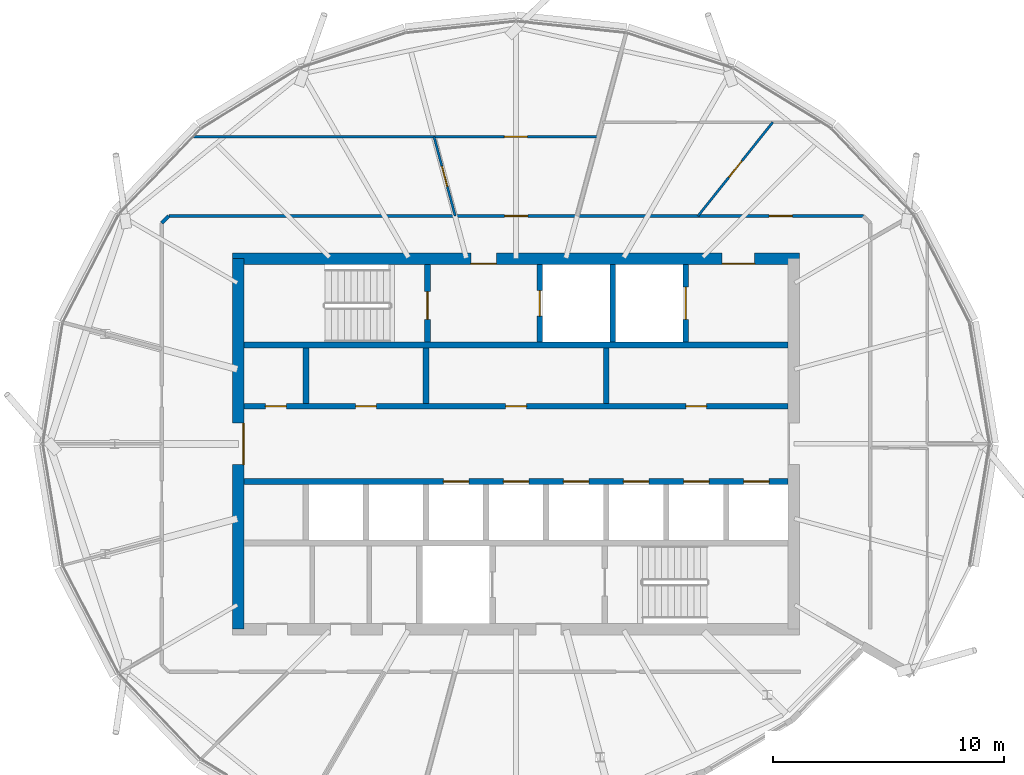
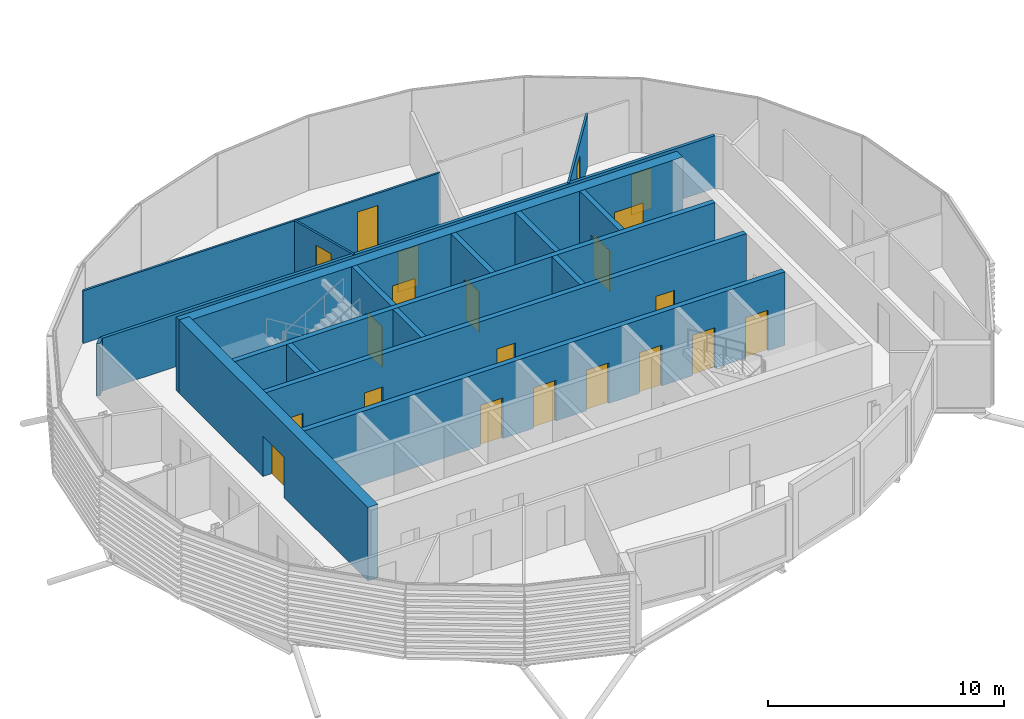
# One storey, part 18 of 33: 21 doors, 17 walls, 21 openings.
"""IFC4 building model written with IfcOpenShell, lengths in metres."""

from ifc_helpers import new_model, si_unit, direction, frame, frame_2d, origin, place, context, subcontext, project, spatial, rectangle, extrude, material, layer, layer_set, type_object, element, fill, save


model = new_model("IFC4")

# Units and contexts
model_context = context("Model", 3, precision=1e-05, world=origin(), true_north=direction((0.0, 1.0)))
body_context = subcontext(model_context, "Body", "Model", "MODEL_VIEW")
ifc_project = project(units=[si_unit("LENGTHUNIT", "METRE"), si_unit("AREAUNIT", "SQUARE_METRE"), si_unit("VOLUMEUNIT", "CUBIC_METRE"), si_unit("PLANEANGLEUNIT", "RADIAN"), si_unit("MASSUNIT", "GRAM", prefix="KILO")], contexts=[model_context])

# Site, building, storey
site_placement = place(None, origin())
site = spatial("IfcSite", under=ifc_project, at=site_placement, CompositionType="ELEMENT")
building_placement = place(site_placement, origin())
building = spatial("IfcBuilding", under=site, at=building_placement, Name="Rimbun Link Towers", CompositionType="ELEMENT")
storey_placement = place(building_placement, frame((0.0, 0.0, 240.89990234375)))
storey = spatial("IfcBuildingStorey", under=building, at=storey_placement, Name="L59", CompositionType="ELEMENT", Elevation=240.89990234375)

# Wall, openings, doors
ifc_material_1 = material(Name="Concrete C60/75", Category="concrete")
ifc_layer_1 = layer(ifc_material_1, 0.5)
ifc_layer_set_1 = layer_set([ifc_layer_1], Name="Core shear wall 500")
wall_type_1 = type_object("IfcWallType", Name="Core shear wall 500", PredefinedType="SHEAR", material=ifc_layer_set_1)
wall_1_placement = place(storey_placement, frame((-44.0, 8.0, 0.0), z_axis=(0.0, 0.0, 1.0), x_axis=(1.0, 0.0, 0.0)))
wall_1 = element("IfcWall", 1, at=wall_1_placement, inside=storey, type_object=wall_type_1, Name="L59 T1 core wall N", PredefinedType="SHEAR", context=body_context, shape_type="SweptSolid", body=[
    extrude(rectangle(XDim=24.5, YDim=0.5, at=frame_2d((12.25, 0.0))), origin(), (0.0, 0.0, 1.0), 3.800048828125),
])
opening_1_placement = place(wall_1_placement, frame((10.300048828125, 0.0, 0.0)))
opening_1 = element("IfcOpeningElement", 2, at=opening_1_placement, cuts=wall_1, Name="Opening C1DCF01N", PredefinedType="OPENING", context=body_context, shape_type="SweptSolid", body=[
    extrude(rectangle(XDim=1.10009765625, YDim=2.10009765625, at=frame_2d((0.550048828125, 1.050048828125))), frame((0.0, 0.260009765625, 0.0), z_axis=(0.0, -1.0, 0.0), x_axis=(1.0, 0.0, 0.0)), (0.0, 0.0, 1.0), 0.52001953125),
])
opening_2_placement = place(wall_1_placement, frame((21.14990234375, 0.0, 0.0)))
opening_2 = element("IfcOpeningElement", 3, at=opening_2_placement, cuts=wall_1, Name="Opening C1DSL02N", PredefinedType="OPENING", context=body_context, shape_type="SweptSolid", body=[
    extrude(rectangle(XDim=1.39990234375, YDim=2.10009765625, at=frame_2d((0.699951171875, 1.050048828125))), frame((0.0, 0.260009765625, 0.0), z_axis=(0.0, -1.0, 0.0), x_axis=(1.0, 0.0, 0.0)), (0.0, 0.0, 1.0), 0.52001953125),
])
ifc_material_2 = material(Name="Steel fire door set", Category="steel")
door_type_1 = type_object("IfcDoorType", Name="Core fire door single", OperationType="SINGLE_SWING_LEFT", PredefinedType="DOOR", material=ifc_material_2)
door_1_placement = place(opening_1_placement, origin())
door_1 = element("IfcDoor", 4, at=door_1_placement, inside=storey, type_object=door_type_1, Name="L59 T1 firefighting lobby n door", OperationType="SINGLE_SWING_LEFT", OverallHeight=2.10009765625, OverallWidth=1.10009765625, PredefinedType="DOOR", context=body_context, shape_type="SweptSolid", body=[
    extrude(rectangle(XDim=1.10009765625, YDim=2.10009765625, at=frame_2d((0.550048828125, 1.050048828125))), frame((0.0, -0.2001953125, 0.0), z_axis=(0.0, -1.0, 0.0), x_axis=(1.0, 0.0, 0.0)), (0.0, 0.0, 1.0), 0.050048828125),
])
fill(opening_1, door_1)
ifc_material_3 = material(Name="Steel fire door set", Category="steel")
door_type_2 = type_object("IfcDoorType", Name="Service lobby door double", OperationType="DOUBLE_DOOR_SINGLE_SWING", PredefinedType="DOOR", material=ifc_material_3)
door_2_placement = place(opening_2_placement, origin())
door_2 = element("IfcDoor", 5, at=door_2_placement, inside=storey, type_object=door_type_2, Name="L59 T1 service lobby door", OperationType="DOUBLE_DOOR_SINGLE_SWING", OverallHeight=2.10009765625, OverallWidth=1.39990234375, PredefinedType="DOOR", context=body_context, shape_type="SweptSolid", body=[
    extrude(rectangle(XDim=1.39990234375, YDim=2.10009765625, at=frame_2d((0.699951171875, 1.050048828125))), frame((0.0, -0.2001953125, 0.0), z_axis=(0.0, -1.0, 0.0), x_axis=(1.0, 0.0, 0.0)), (0.0, 0.0, 1.0), 0.050048828125),
])
fill(opening_2, door_2)

# Wall, opening, door
wall_2_placement = place(storey_placement, frame((-43.75, -8.0, 0.0), z_axis=(0.0, 0.0, 1.0), x_axis=(0.0, 1.0, 0.0)))
wall_2 = element("IfcWall", 6, at=wall_2_placement, inside=storey, type_object=wall_type_1, Name="L59 T1 core wall W", PredefinedType="SHEAR", context=body_context, shape_type="SweptSolid", body=[
    extrude(rectangle(XDim=16.0, YDim=0.5, at=frame_2d((8.0, 0.0))), origin(), (0.0, 0.0, 1.0), 3.800048828125),
])
opening_3_placement = place(wall_2_placement, frame((7.10009765625, 0.0, 0.0)))
opening_3 = element("IfcOpeningElement", 7, at=opening_3_placement, cuts=wall_2, Name="Opening C1DCL01W", PredefinedType="OPENING", context=body_context, shape_type="SweptSolid", body=[
    extrude(rectangle(XDim=1.800048828125, YDim=2.10009765625, at=frame_2d((0.89990234375, 1.050048828125))), frame((0.0, 0.260009765625, 0.0), z_axis=(0.0, -1.0, 0.0), x_axis=(1.0, 0.0, 0.0)), (0.0, 0.0, 1.0), 0.52001953125),
])
ifc_material_4 = material(Name="Steel fire door set", Category="steel")
door_type_3 = type_object("IfcDoorType", Name="Core lobby door double", OperationType="DOUBLE_DOOR_SINGLE_SWING", PredefinedType="DOOR", material=ifc_material_4)
door_3_placement = place(opening_3_placement, origin())
door_3 = element("IfcDoor", 8, at=door_3_placement, inside=storey, type_object=door_type_3, Name="L59 T1 lift lobby door", OperationType="DOUBLE_DOOR_SINGLE_SWING", OverallHeight=2.10009765625, OverallWidth=1.800048828125, PredefinedType="DOOR", context=body_context, shape_type="SweptSolid", body=[
    extrude(rectangle(XDim=1.800048828125, YDim=2.10009765625, at=frame_2d((0.89990234375, 1.050048828125))), frame((0.0, -0.2001953125, 0.0), z_axis=(0.0, -1.0, 0.0), x_axis=(1.0, 0.0, 0.0)), (0.0, 0.0, 1.0), 0.050048828125),
])
fill(opening_3, door_3)

# Wall
ifc_material_5 = material(Name="Plasterboard on steel stud, mineral wool", Category="steel")
ifc_layer_2 = layer(ifc_material_5, 0.14990234375)
ifc_layer_set_2 = layer_set([ifc_layer_2], Name="Corridor wall EI 30 150 mm")
wall_type_2 = type_object("IfcWallType", Name="Corridor wall EI 30 150 mm", PredefinedType="PARTITIONING", material=ifc_layer_set_2)
wall_3_placement = place(storey_placement, frame((-46.753662109375, 9.844970703125, 0.0), z_axis=(0.0, 0.0, 1.0), x_axis=(-0.707106781187, -0.707106781187, 0.0)))
element("IfcWall", 9, at=wall_3_placement, inside=storey, type_object=wall_type_2, Name="Corridor wall EI 30 150 mm", PredefinedType="PARTITIONING", context=body_context, shape_type="SweptSolid", body=[
    extrude(rectangle(XDim=0.426025390625, YDim=0.14990234375, at=frame_2d((0.212890625, 0.0))), origin(), (0.0, 0.0, 1.0), 2.72216796875),
])

# Wall, openings, doors
wall_4_placement = place(storey_placement, frame((-46.753662109375, 9.844970703125, 0.0), z_axis=(0.0, 0.0, 1.0), x_axis=(1.0, 0.0, 0.0)))
wall_4 = element("IfcWall", 10, at=wall_4_placement, inside=storey, type_object=wall_type_2, Name="Corridor wall EI 30 150 mm", PredefinedType="PARTITIONING", context=body_context, shape_type="SweptSolid", body=[
    extrude(rectangle(XDim=30.00732421875, YDim=0.14990234375, at=frame_2d((15.003662109375, 0.0))), origin(), (0.0, 0.0, 1.0), 2.72216796875),
])
opening_4_placement = place(wall_4_placement, frame((25.933837890625, 0.0, 0.0)))
opening_4 = element("IfcOpeningElement", 11, at=opening_4_placement, cuts=wall_4, Name="Opening D01", PredefinedType="OPENING", context=body_context, shape_type="SweptSolid", body=[
    extrude(rectangle(XDim=1.0, YDim=2.10009765625, at=frame_2d((0.5, 1.050048828125))), frame((0.0, 0.0849609375, 0.0), z_axis=(0.0, -1.0, 0.0), x_axis=(1.0, 0.0, 0.0)), (0.0, 0.0, 1.0), 0.169921875),
])
opening_5_placement = place(wall_4_placement, frame((14.507080078125, 0.0, 0.0)))
opening_5 = element("IfcOpeningElement", 12, at=opening_5_placement, cuts=wall_4, Name="Opening D01", PredefinedType="OPENING", context=body_context, shape_type="SweptSolid", body=[
    extrude(rectangle(XDim=1.0, YDim=2.10009765625, at=frame_2d((0.5, 1.050048828125))), frame((0.0, 0.0849609375, 0.0), z_axis=(0.0, -1.0, 0.0), x_axis=(1.0, 0.0, 0.0)), (0.0, 0.0, 1.0), 0.169921875),
])
ifc_material_6 = material(Name="Fire-resisting timber door leaf", Category="wood")
door_type_4 = type_object("IfcDoorType", Name="Fire door FD30S 1000", OperationType="NOTDEFINED", PredefinedType="DOOR", material=ifc_material_6)
door_4_placement = place(opening_4_placement, origin())
door_4 = element("IfcDoor", 13, at=door_4_placement, inside=storey, type_object=door_type_4, Name="Fire door FD30S 1000 to Reception", OperationType="SINGLE_SWING_RIGHT", OverallHeight=2.10009765625, OverallWidth=1.0, PredefinedType="DOOR", context=body_context, shape_type="SweptSolid", body=[
    extrude(rectangle(XDim=1.0, YDim=2.10009765625, at=frame_2d((0.5, 1.050048828125))), frame((0.0, 0.02490234375, 0.0), z_axis=(0.0, -1.0, 0.0), x_axis=(1.0, 0.0, 0.0)), (0.0, 0.0, 1.0), 0.050048828125),
])
fill(opening_4, door_4)
door_5_placement = place(opening_5_placement, origin())
door_5 = element("IfcDoor", 14, at=door_5_placement, inside=storey, type_object=door_type_4, Name="Fire door FD30S 1000 to Reception", OperationType="SINGLE_SWING_LEFT", OverallHeight=2.10009765625, OverallWidth=1.0, PredefinedType="DOOR", context=body_context, shape_type="SweptSolid", body=[
    extrude(rectangle(XDim=1.0, YDim=2.10009765625, at=frame_2d((0.5, 1.050048828125))), frame((0.0, 0.02490234375, 0.0), z_axis=(0.0, -1.0, 0.0), x_axis=(1.0, 0.0, 0.0)), (0.0, 0.0, 1.0), 0.050048828125),
])
fill(opening_5, door_5)

# Wall, opening, door
ifc_material_7 = material(Name="Plasterboard on steel stud", Category="steel")
ifc_layer_3 = layer(ifc_material_7, 0.10009765625)
ifc_layer_set_3 = layer_set([ifc_layer_3], Name="Plasterboard partition 100 mm")
wall_type_3 = type_object("IfcWallType", Name="Plasterboard partition 100 mm", PredefinedType="PARTITIONING", material=ifc_layer_set_3)
wall_5_placement = place(storey_placement, frame((-23.893310546875, 9.844970703125, 0.0), z_axis=(0.0, 0.0, 1.0), x_axis=(0.623769525553, 0.781608328379, 0.0)))
wall_5 = element("IfcWall", 15, at=wall_5_placement, inside=storey, type_object=wall_type_3, Name="Plasterboard partition 100 mm", PredefinedType="PARTITIONING", context=body_context, shape_type="SweptSolid", body=[
    extrude(rectangle(XDim=5.181640625, YDim=0.10009765625, at=frame_2d((2.5908203125, 0.0))), origin(), (0.0, 0.0, 1.0), 2.72216796875),
])
opening_6_placement = place(wall_5_placement, frame((2.140869140625, 0.0, 0.0)))
opening_6 = element("IfcOpeningElement", 16, at=opening_6_placement, cuts=wall_5, Name="Opening D04", PredefinedType="OPENING", context=body_context, shape_type="SweptSolid", body=[
    extrude(rectangle(XDim=0.89990234375, YDim=2.10009765625, at=frame_2d((0.449951171875, 1.050048828125))), frame((0.0, 0.06005859375, 0.0), z_axis=(0.0, -1.0, 0.0), x_axis=(1.0, 0.0, 0.0)), (0.0, 0.0, 1.0), 0.1201171875),
])
ifc_material_8 = material(Name="Timber door leaf", Category="wood")
door_type_5 = type_object("IfcDoorType", Name="Flush door 900", OperationType="NOTDEFINED", PredefinedType="DOOR", material=ifc_material_8)
door_6_placement = place(opening_6_placement, origin())
door_6 = element("IfcDoor", 17, at=door_6_placement, inside=storey, type_object=door_type_5, Name="Flush door 900 to Pantry", OperationType="SINGLE_SWING_LEFT", OverallHeight=2.10009765625, OverallWidth=0.89990234375, PredefinedType="DOOR", context=body_context, shape_type="SweptSolid", body=[
    extrude(rectangle(XDim=0.89990234375, YDim=2.10009765625, at=frame_2d((0.449951171875, 1.050048828125))), frame((0.0, 0.02490234375, 0.0), z_axis=(0.0, -1.0, 0.0), x_axis=(1.0, 0.0, 0.0)), (0.0, 0.0, 1.0), 0.050048828125),
])
fill(opening_6, door_6)

wall_6_placement = place(storey_placement, frame((-34.380859375, 9.844970703125, 0.0), z_axis=(0.0, 0.0, 1.0), x_axis=(-0.258212054704, 0.966088264501, 0.0)))
wall_6 = element("IfcWall", 18, at=wall_6_placement, inside=storey, type_object=wall_type_3, Name="Plasterboard partition 100 mm", PredefinedType="PARTITIONING", context=body_context, shape_type="SweptSolid", body=[
    extrude(rectangle(XDim=3.5400390625, YDim=0.10009765625, at=frame_2d((1.77001953125, 0.0))), origin(), (0.0, 0.0, 1.0), 2.72216796875),
])
opening_7_placement = place(wall_6_placement, frame((1.320068359375, 0.0, 0.0)))
opening_7 = element("IfcOpeningElement", 19, at=opening_7_placement, cuts=wall_6, Name="Opening D04", PredefinedType="OPENING", context=body_context, shape_type="SweptSolid", body=[
    extrude(rectangle(XDim=0.89990234375, YDim=2.10009765625, at=frame_2d((0.449951171875, 1.050048828125))), frame((0.0, 0.06005859375, 0.0), z_axis=(0.0, -1.0, 0.0), x_axis=(1.0, 0.0, 0.0)), (0.0, 0.0, 1.0), 0.1201171875),
])
door_7_placement = place(opening_7_placement, origin())
door_7 = element("IfcDoor", 20, at=door_7_placement, inside=storey, type_object=door_type_5, Name="Flush door 900 to Meeting room", OperationType="SINGLE_SWING_RIGHT", OverallHeight=2.10009765625, OverallWidth=0.89990234375, PredefinedType="DOOR", context=body_context, shape_type="SweptSolid", body=[
    extrude(rectangle(XDim=0.89990234375, YDim=2.10009765625, at=frame_2d((0.449951171875, 1.050048828125))), frame((0.0, 0.02490234375, 0.0), z_axis=(0.0, -1.0, 0.0), x_axis=(1.0, 0.0, 0.0)), (0.0, 0.0, 1.0), 0.050048828125),
])
fill(opening_7, door_7)

wall_7_placement = place(storey_placement, frame((-45.677978515625, 13.264892578125, 0.0), z_axis=(0.0, 0.0, 1.0), x_axis=(1.0, 0.0, 0.0)))
wall_7 = element("IfcWall", 21, at=wall_7_placement, inside=storey, type_object=wall_type_3, Name="Plasterboard partition 100 mm", PredefinedType="PARTITIONING", context=body_context, shape_type="SweptSolid", body=[
    extrude(rectangle(XDim=17.482177734375, YDim=0.10009765625, at=frame_2d((8.7412109375, 0.0))), origin(), (0.0, 0.0, 1.0), 2.72216796875),
])
opening_8_placement = place(wall_7_placement, frame((13.417724609375, 0.0, 0.0)))
opening_8 = element("IfcOpeningElement", 22, at=opening_8_placement, cuts=wall_7, Name="Opening D03", PredefinedType="OPENING", context=body_context, shape_type="SweptSolid", body=[
    extrude(rectangle(XDim=1.0, YDim=2.10009765625, at=frame_2d((0.5, 1.050048828125))), frame((0.0, 0.06005859375, 0.0), z_axis=(0.0, -1.0, 0.0), x_axis=(1.0, 0.0, 0.0)), (0.0, 0.0, 1.0), 0.1201171875),
])
ifc_material_9 = material(Name="Timber door leaf", Category="wood")
door_type_6 = type_object("IfcDoorType", Name="Flush door 1000", OperationType="NOTDEFINED", PredefinedType="DOOR", material=ifc_material_9)
door_8_placement = place(opening_8_placement, origin())
door_8 = element("IfcDoor", 23, at=door_8_placement, inside=storey, type_object=door_type_6, Name="Flush door 1000 to Open office", OperationType="SINGLE_SWING_LEFT", OverallHeight=2.10009765625, OverallWidth=1.0, PredefinedType="DOOR", context=body_context, shape_type="SweptSolid", body=[
    extrude(rectangle(XDim=1.0, YDim=2.10009765625, at=frame_2d((0.5, 1.050048828125))), frame((0.0, 0.02490234375, 0.0), z_axis=(0.0, -1.0, 0.0), x_axis=(1.0, 0.0, 0.0)), (0.0, 0.0, 1.0), 0.050048828125),
])
fill(opening_8, door_8)

# Wall
ifc_material_10 = material(Name="Concrete C60/75", Category="concrete")
ifc_layer_4 = layer(ifc_material_10, 0.25)
ifc_layer_set_4 = layer_set([ifc_layer_4], Name="Shaft wall 250")
wall_type_4 = type_object("IfcWallType", Name="Shaft wall 250", PredefinedType="SHEAR", material=ifc_layer_set_4)
wall_8_placement = place(storey_placement, frame((-43.5, 4.27490234375, 0.0), z_axis=(0.0, 0.0, 1.0), x_axis=(1.0, 0.0, 0.0)))
element("IfcWall", 24, at=wall_8_placement, inside=storey, type_object=wall_type_4, Name="L59 T1 core wall BN", PredefinedType="SHEAR", context=body_context, shape_type="SweptSolid", body=[
    extrude(rectangle(XDim=23.5, YDim=0.25, at=frame_2d((11.75, 0.0))), origin(), (0.0, 0.0, 1.0), 3.800048828125),
])

# Wall, openings, doors
wall_9_placement = place(storey_placement, frame((-43.5, 1.625, 0.0), z_axis=(0.0, 0.0, 1.0), x_axis=(1.0, 0.0, 0.0)))
wall_9 = element("IfcWall", 25, at=wall_9_placement, inside=storey, type_object=wall_type_4, Name="L59 T1 core wall FN", PredefinedType="SHEAR", context=body_context, shape_type="SweptSolid", body=[
    extrude(rectangle(XDim=23.5, YDim=0.25, at=frame_2d((11.75, 0.0))), origin(), (0.0, 0.0, 1.0), 3.800048828125),
])
opening_9_placement = place(wall_9_placement, frame((0.922119140625, 0.0, 0.0)))
opening_9 = element("IfcOpeningElement", 26, at=opening_9_placement, cuts=wall_9, Name="Opening C1DRS01FN", PredefinedType="OPENING", context=body_context, shape_type="SweptSolid", body=[
    extrude(rectangle(XDim=0.89990234375, YDim=2.10009765625, at=frame_2d((0.449951171875, 1.050048828125))), frame((0.0, 0.135009765625, 0.0), z_axis=(0.0, -1.0, 0.0), x_axis=(1.0, 0.0, 0.0)), (0.0, 0.0, 1.0), 0.27001953125),
])
opening_10_placement = place(wall_9_placement, frame((4.81396484375, 0.0, 0.0)))
opening_10 = element("IfcOpeningElement", 27, at=opening_10_placement, cuts=wall_9, Name="Opening C1DRS02FN", PredefinedType="OPENING", context=body_context, shape_type="SweptSolid", body=[
    extrude(rectangle(XDim=0.89990234375, YDim=2.10009765625, at=frame_2d((0.449951171875, 1.050048828125))), frame((0.0, 0.135009765625, 0.0), z_axis=(0.0, -1.0, 0.0), x_axis=(1.0, 0.0, 0.0)), (0.0, 0.0, 1.0), 0.27001953125),
])
opening_11_placement = place(wall_9_placement, frame((11.300048828125, 0.0, 0.0)))
opening_11 = element("IfcOpeningElement", 28, at=opening_11_placement, cuts=wall_9, Name="Opening C1DRS03FN", PredefinedType="OPENING", context=body_context, shape_type="SweptSolid", body=[
    extrude(rectangle(XDim=0.89990234375, YDim=2.10009765625, at=frame_2d((0.449951171875, 1.050048828125))), frame((0.0, 0.135009765625, 0.0), z_axis=(0.0, -1.0, 0.0), x_axis=(1.0, 0.0, 0.0)), (0.0, 0.0, 1.0), 0.27001953125),
])
opening_12_placement = place(wall_9_placement, frame((19.083251953125, 0.0, 0.0)))
opening_12 = element("IfcOpeningElement", 29, at=opening_12_placement, cuts=wall_9, Name="Opening C1DRS04FN", PredefinedType="OPENING", context=body_context, shape_type="SweptSolid", body=[
    extrude(rectangle(XDim=0.89990234375, YDim=2.10009765625, at=frame_2d((0.449951171875, 1.050048828125))), frame((0.0, 0.135009765625, 0.0), z_axis=(0.0, -1.0, 0.0), x_axis=(1.0, 0.0, 0.0)), (0.0, 0.0, 1.0), 0.27001953125),
])
ifc_material_11 = material(Name="Steel fire door set", Category="steel")
door_type_7 = type_object("IfcDoorType", Name="Core riser door", OperationType="SINGLE_SWING_LEFT", PredefinedType="DOOR", material=ifc_material_11)
door_9_placement = place(opening_9_placement, origin())
door_9 = element("IfcDoor", 30, at=door_9_placement, inside=storey, type_object=door_type_7, Name="L59 T1 cleaner store door", OperationType="SINGLE_SWING_LEFT", OverallHeight=2.10009765625, OverallWidth=0.89990234375, PredefinedType="DOOR", context=body_context, shape_type="SweptSolid", body=[
    extrude(rectangle(XDim=0.89990234375, YDim=2.10009765625, at=frame_2d((0.449951171875, 1.050048828125))), frame((0.0, 0.02490234375, 0.0), z_axis=(0.0, -1.0, 0.0), x_axis=(1.0, 0.0, 0.0)), (0.0, 0.0, 1.0), 0.050048828125),
])
fill(opening_9, door_9)
door_10_placement = place(opening_10_placement, origin())
door_10 = element("IfcDoor", 31, at=door_10_placement, inside=storey, type_object=door_type_7, Name="L59 T1 staff lounge door", OperationType="SINGLE_SWING_LEFT", OverallHeight=2.10009765625, OverallWidth=0.89990234375, PredefinedType="DOOR", context=body_context, shape_type="SweptSolid", body=[
    extrude(rectangle(XDim=0.89990234375, YDim=2.10009765625, at=frame_2d((0.449951171875, 1.050048828125))), frame((0.0, 0.02490234375, 0.0), z_axis=(0.0, -1.0, 0.0), x_axis=(1.0, 0.0, 0.0)), (0.0, 0.0, 1.0), 0.050048828125),
])
fill(opening_10, door_10)
door_11_placement = place(opening_11_placement, origin())
door_11 = element("IfcDoor", 32, at=door_11_placement, inside=storey, type_object=door_type_7, Name="L59 T1 training store door", OperationType="SINGLE_SWING_LEFT", OverallHeight=2.10009765625, OverallWidth=0.89990234375, PredefinedType="DOOR", context=body_context, shape_type="SweptSolid", body=[
    extrude(rectangle(XDim=0.89990234375, YDim=2.10009765625, at=frame_2d((0.449951171875, 1.050048828125))), frame((0.0, 0.02490234375, 0.0), z_axis=(0.0, -1.0, 0.0), x_axis=(1.0, 0.0, 0.0)), (0.0, 0.0, 1.0), 0.050048828125),
])
fill(opening_11, door_11)
door_12_placement = place(opening_12_placement, origin())
door_12 = element("IfcDoor", 33, at=door_12_placement, inside=storey, type_object=door_type_7, Name="L59 T1 meeting pod door", OperationType="SINGLE_SWING_RIGHT", OverallHeight=2.10009765625, OverallWidth=0.89990234375, PredefinedType="DOOR", context=body_context, shape_type="SweptSolid", body=[
    extrude(rectangle(XDim=0.89990234375, YDim=2.10009765625, at=frame_2d((0.449951171875, 1.050048828125))), frame((0.0, 0.02490234375, 0.0), z_axis=(0.0, -1.0, 0.0), x_axis=(1.0, 0.0, 0.0)), (0.0, 0.0, 1.0), 0.050048828125),
])
fill(opening_12, door_12)

wall_10_placement = place(storey_placement, frame((-43.5, -1.625, 0.0), z_axis=(0.0, 0.0, 1.0), x_axis=(1.0, 0.0, 0.0)))
wall_10 = element("IfcWall", 34, at=wall_10_placement, inside=storey, type_object=wall_type_4, Name="L59 T1 core wall FS", PredefinedType="SHEAR", context=body_context, shape_type="SweptSolid", body=[
    extrude(rectangle(XDim=23.5, YDim=0.25, at=frame_2d((11.75, 0.0))), origin(), (0.0, 0.0, 1.0), 3.800048828125),
])
opening_13_placement = place(wall_10_placement, frame((8.605712890625, 0.0, 0.0)))
opening_13 = element("IfcOpeningElement", 35, at=opening_13_placement, cuts=wall_10, Name="Opening LD-T1-HR1", PredefinedType="OPENING", context=body_context, shape_type="SweptSolid", body=[
    extrude(rectangle(XDim=1.10009765625, YDim=2.10009765625, at=frame_2d((0.550048828125, 1.050048828125))), frame((0.0, 0.135009765625, 0.0), z_axis=(0.0, -1.0, 0.0), x_axis=(1.0, 0.0, 0.0)), (0.0, 0.0, 1.0), 0.27001953125),
])
opening_14_placement = place(wall_10_placement, frame((11.199951171875, 0.0, 0.0)))
opening_14 = element("IfcOpeningElement", 36, at=opening_14_placement, cuts=wall_10, Name="Opening LD-T1-HR2", PredefinedType="OPENING", context=body_context, shape_type="SweptSolid", body=[
    extrude(rectangle(XDim=1.10009765625, YDim=2.10009765625, at=frame_2d((0.550048828125, 1.050048828125))), frame((0.0, 0.135009765625, 0.0), z_axis=(0.0, -1.0, 0.0), x_axis=(1.0, 0.0, 0.0)), (0.0, 0.0, 1.0), 0.27001953125),
])
opening_15_placement = place(wall_10_placement, frame((13.79443359375, 0.0, 0.0)))
opening_15 = element("IfcOpeningElement", 37, at=opening_15_placement, cuts=wall_10, Name="Opening LD-T1-HR3", PredefinedType="OPENING", context=body_context, shape_type="SweptSolid", body=[
    extrude(rectangle(XDim=1.10009765625, YDim=2.10009765625, at=frame_2d((0.550048828125, 1.050048828125))), frame((0.0, 0.135009765625, 0.0), z_axis=(0.0, -1.0, 0.0), x_axis=(1.0, 0.0, 0.0)), (0.0, 0.0, 1.0), 0.27001953125),
])
opening_16_placement = place(wall_10_placement, frame((16.388916015625, 0.0, 0.0)))
opening_16 = element("IfcOpeningElement", 38, at=opening_16_placement, cuts=wall_10, Name="Opening LD-T1-HR4", PredefinedType="OPENING", context=body_context, shape_type="SweptSolid", body=[
    extrude(rectangle(XDim=1.10009765625, YDim=2.10009765625, at=frame_2d((0.550048828125, 1.050048828125))), frame((0.0, 0.135009765625, 0.0), z_axis=(0.0, -1.0, 0.0), x_axis=(1.0, 0.0, 0.0)), (0.0, 0.0, 1.0), 0.27001953125),
])
opening_17_placement = place(wall_10_placement, frame((18.9833984375, 0.0, 0.0)))
opening_17 = element("IfcOpeningElement", 39, at=opening_17_placement, cuts=wall_10, Name="Opening LD-T1-HR5", PredefinedType="OPENING", context=body_context, shape_type="SweptSolid", body=[
    extrude(rectangle(XDim=1.10009765625, YDim=2.10009765625, at=frame_2d((0.550048828125, 1.050048828125))), frame((0.0, 0.135009765625, 0.0), z_axis=(0.0, -1.0, 0.0), x_axis=(1.0, 0.0, 0.0)), (0.0, 0.0, 1.0), 0.27001953125),
])
opening_18_placement = place(wall_10_placement, frame((21.577880859375, 0.0, 0.0)))
opening_18 = element("IfcOpeningElement", 40, at=opening_18_placement, cuts=wall_10, Name="Opening LD-T1-HR6", PredefinedType="OPENING", context=body_context, shape_type="SweptSolid", body=[
    extrude(rectangle(XDim=1.10009765625, YDim=2.10009765625, at=frame_2d((0.550048828125, 1.050048828125))), frame((0.0, 0.135009765625, 0.0), z_axis=(0.0, -1.0, 0.0), x_axis=(1.0, 0.0, 0.0)), (0.0, 0.0, 1.0), 0.27001953125),
])
ifc_material_12 = material(Name="Stainless steel grade 316", Category="steel")
door_type_8 = type_object("IfcDoorType", Name="Lift landing door", OperationType="DOUBLE_DOOR_SLIDING", PredefinedType="DOOR", material=ifc_material_12)
door_13_placement = place(opening_13_placement, origin())
door_13 = element("IfcDoor", 41, at=door_13_placement, inside=storey, type_object=door_type_8, Name="L59 T1 lift HR1 landing door", OperationType="DOUBLE_DOOR_SLIDING", OverallHeight=2.10009765625, OverallWidth=1.10009765625, PredefinedType="DOOR", context=body_context, shape_type="SweptSolid", body=[
    extrude(rectangle(XDim=1.10009765625, YDim=2.10009765625, at=frame_2d((0.550048828125, 1.050048828125))), frame((0.0, 0.02490234375, 0.0), z_axis=(0.0, -1.0, 0.0), x_axis=(1.0, 0.0, 0.0)), (0.0, 0.0, 1.0), 0.050048828125),
])
fill(opening_13, door_13)
door_14_placement = place(opening_14_placement, origin())
door_14 = element("IfcDoor", 42, at=door_14_placement, inside=storey, type_object=door_type_8, Name="L59 T1 lift HR2 landing door", OperationType="DOUBLE_DOOR_SLIDING", OverallHeight=2.10009765625, OverallWidth=1.10009765625, PredefinedType="DOOR", context=body_context, shape_type="SweptSolid", body=[
    extrude(rectangle(XDim=1.10009765625, YDim=2.10009765625, at=frame_2d((0.550048828125, 1.050048828125))), frame((0.0, 0.02490234375, 0.0), z_axis=(0.0, -1.0, 0.0), x_axis=(1.0, 0.0, 0.0)), (0.0, 0.0, 1.0), 0.050048828125),
])
fill(opening_14, door_14)
door_15_placement = place(opening_15_placement, origin())
door_15 = element("IfcDoor", 43, at=door_15_placement, inside=storey, type_object=door_type_8, Name="L59 T1 lift HR3 landing door", OperationType="DOUBLE_DOOR_SLIDING", OverallHeight=2.10009765625, OverallWidth=1.10009765625, PredefinedType="DOOR", context=body_context, shape_type="SweptSolid", body=[
    extrude(rectangle(XDim=1.10009765625, YDim=2.10009765625, at=frame_2d((0.550048828125, 1.050048828125))), frame((0.0, 0.02490234375, 0.0), z_axis=(0.0, -1.0, 0.0), x_axis=(1.0, 0.0, 0.0)), (0.0, 0.0, 1.0), 0.050048828125),
])
fill(opening_15, door_15)
door_16_placement = place(opening_16_placement, origin())
door_16 = element("IfcDoor", 44, at=door_16_placement, inside=storey, type_object=door_type_8, Name="L59 T1 lift HR4 landing door", OperationType="DOUBLE_DOOR_SLIDING", OverallHeight=2.10009765625, OverallWidth=1.10009765625, PredefinedType="DOOR", context=body_context, shape_type="SweptSolid", body=[
    extrude(rectangle(XDim=1.10009765625, YDim=2.10009765625, at=frame_2d((0.550048828125, 1.050048828125))), frame((0.0, 0.02490234375, 0.0), z_axis=(0.0, -1.0, 0.0), x_axis=(1.0, 0.0, 0.0)), (0.0, 0.0, 1.0), 0.050048828125),
])
fill(opening_16, door_16)
door_17_placement = place(opening_17_placement, origin())
door_17 = element("IfcDoor", 45, at=door_17_placement, inside=storey, type_object=door_type_8, Name="L59 T1 lift HR5 landing door", OperationType="DOUBLE_DOOR_SLIDING", OverallHeight=2.10009765625, OverallWidth=1.10009765625, PredefinedType="DOOR", context=body_context, shape_type="SweptSolid", body=[
    extrude(rectangle(XDim=1.10009765625, YDim=2.10009765625, at=frame_2d((0.550048828125, 1.050048828125))), frame((0.0, 0.02490234375, 0.0), z_axis=(0.0, -1.0, 0.0), x_axis=(1.0, 0.0, 0.0)), (0.0, 0.0, 1.0), 0.050048828125),
])
fill(opening_17, door_17)
door_18_placement = place(opening_18_placement, origin())
door_18 = element("IfcDoor", 46, at=door_18_placement, inside=storey, type_object=door_type_8, Name="L59 T1 lift HR6 landing door", OperationType="DOUBLE_DOOR_SLIDING", OverallHeight=2.10009765625, OverallWidth=1.10009765625, PredefinedType="DOOR", context=body_context, shape_type="SweptSolid", body=[
    extrude(rectangle(XDim=1.10009765625, YDim=2.10009765625, at=frame_2d((0.550048828125, 1.050048828125))), frame((0.0, 0.02490234375, 0.0), z_axis=(0.0, -1.0, 0.0), x_axis=(1.0, 0.0, 0.0)), (0.0, 0.0, 1.0), 0.050048828125),
])
fill(opening_18, door_18)

# Walls
for number, where, z_axis, x_axis, name in (
    (47, (-40.83056640625, 1.75, 0.0), (0.0, 0.0, 1.0), (0.0, 1.0, 0.0), "L59 T1 core wall DN0"),
    (48, (-35.6416015625, 1.75, 0.0), (0.0, 0.0, 1.0), (0.0, 1.0, 0.0), "L59 T1 core wall DN2"),
    (49, (-27.8583984375, 1.75, 0.0), (0.0, 0.0, 1.0), (0.0, 1.0, 0.0), "L59 T1 core wall DN5"),
):
    element("IfcWall", number, at=place(storey_placement, frame(where, z_axis=z_axis, x_axis=x_axis)), inside=storey, type_object=wall_type_4, Name=name, PredefinedType="SHEAR", context=body_context, shape_type="SweptSolid", body=[
        extrude(rectangle(XDim=2.39990234375, YDim=0.25, at=frame_2d((1.199951171875, 0.0))), origin(), (0.0, 0.0, 1.0), 3.800048828125),
    ])

# Wall, opening, door
wall_11_placement = place(storey_placement, frame((-35.574951171875, 4.39990234375, 0.0), z_axis=(0.0, 0.0, 1.0), x_axis=(0.0, 1.0, 0.0)))
wall_11 = element("IfcWall", 50, at=wall_11_placement, inside=storey, type_object=wall_type_4, Name="L59 T1 core wall A1", PredefinedType="SHEAR", context=body_context, shape_type="SweptSolid", body=[
    extrude(rectangle(XDim=3.35009765625, YDim=0.25, at=frame_2d((1.675048828125, 0.0))), origin(), (0.0, 0.0, 1.0), 3.800048828125),
])
opening_19_placement = place(wall_11_placement, frame((0.97509765625, 0.0, 0.0)))
opening_19 = element("IfcOpeningElement", 51, at=opening_19_placement, cuts=wall_11, Name="Opening C1DST01A1", PredefinedType="OPENING", context=body_context, shape_type="SweptSolid", body=[
    extrude(rectangle(XDim=1.199951171875, YDim=2.10009765625, at=frame_2d((0.60009765625, 1.050048828125))), frame((0.0, 0.135009765625, 0.0), z_axis=(0.0, -1.0, 0.0), x_axis=(1.0, 0.0, 0.0)), (0.0, 0.0, 1.0), 0.27001953125),
])
ifc_material_13 = material(Name="Steel fire door set", Category="steel")
door_type_9 = type_object("IfcDoorType", Name="Stair door", OperationType="SINGLE_SWING_LEFT", PredefinedType="DOOR", material=ifc_material_13)
door_19_placement = place(opening_19_placement, origin())
door_19 = element("IfcDoor", 52, at=door_19_placement, inside=storey, type_object=door_type_9, Name="L59 T1 stair a door", OperationType="SINGLE_SWING_RIGHT", OverallHeight=2.10009765625, OverallWidth=1.199951171875, PredefinedType="DOOR", context=body_context, shape_type="SweptSolid", body=[
    extrude(rectangle(XDim=1.199951171875, YDim=2.10009765625, at=frame_2d((0.60009765625, 1.050048828125))), frame((0.0, 0.02490234375, 0.0), z_axis=(0.0, -1.0, 0.0), x_axis=(1.0, 0.0, 0.0)), (0.0, 0.0, 1.0), 0.050048828125),
])
fill(opening_19, door_19)

wall_12_placement = place(storey_placement, frame((-30.72509765625, 4.39990234375, 0.0), z_axis=(0.0, 0.0, 1.0), x_axis=(0.0, 1.0, 0.0)))
wall_12 = element("IfcWall", 53, at=wall_12_placement, inside=storey, type_object=wall_type_4, Name="L59 T1 core wall A2", PredefinedType="SHEAR", context=body_context, shape_type="SweptSolid", body=[
    extrude(rectangle(XDim=3.35009765625, YDim=0.25, at=frame_2d((1.675048828125, 0.0))), origin(), (0.0, 0.0, 1.0), 3.800048828125),
])
opening_20_placement = place(wall_12_placement, frame((1.125, 0.0, 0.0)))
opening_20 = element("IfcOpeningElement", 54, at=opening_20_placement, cuts=wall_12, Name="Opening LD-T1-FF1", PredefinedType="OPENING", context=body_context, shape_type="SweptSolid", body=[
    extrude(rectangle(XDim=1.10009765625, YDim=2.10009765625, at=frame_2d((0.550048828125, 1.050048828125))), frame((0.0, 0.135009765625, 0.0), z_axis=(0.0, -1.0, 0.0), x_axis=(1.0, 0.0, 0.0)), (0.0, 0.0, 1.0), 0.27001953125),
])
door_20_placement = place(opening_20_placement, origin())
door_20 = element("IfcDoor", 55, at=door_20_placement, inside=storey, type_object=door_type_8, Name="L59 T1 lift FF1 landing door", OperationType="DOUBLE_DOOR_SLIDING", OverallHeight=2.10009765625, OverallWidth=1.10009765625, PredefinedType="DOOR", context=body_context, shape_type="SweptSolid", body=[
    extrude(rectangle(XDim=1.10009765625, YDim=2.10009765625, at=frame_2d((0.550048828125, 1.050048828125))), frame((0.0, 0.02490234375, 0.0), z_axis=(0.0, -1.0, 0.0), x_axis=(1.0, 0.0, 0.0)), (0.0, 0.0, 1.0), 0.050048828125),
])
fill(opening_20, door_20)

# Wall
wall_13_placement = place(storey_placement, frame((-27.574951171875, 4.39990234375, 0.0), z_axis=(0.0, 0.0, 1.0), x_axis=(0.0, 1.0, 0.0)))
element("IfcWall", 56, at=wall_13_placement, inside=storey, type_object=wall_type_4, Name="L59 T1 core wall A3", PredefinedType="SHEAR", context=body_context, shape_type="SweptSolid", body=[
    extrude(rectangle(XDim=3.35009765625, YDim=0.25, at=frame_2d((1.675048828125, 0.0))), origin(), (0.0, 0.0, 1.0), 3.800048828125),
])

# Wall, opening, door
wall_14_placement = place(storey_placement, frame((-24.425048828125, 4.39990234375, 0.0), z_axis=(0.0, 0.0, 1.0), x_axis=(0.0, 1.0, 0.0)))
wall_14 = element("IfcWall", 57, at=wall_14_placement, inside=storey, type_object=wall_type_4, Name="L59 T1 core wall A4", PredefinedType="SHEAR", context=body_context, shape_type="SweptSolid", body=[
    extrude(rectangle(XDim=3.35009765625, YDim=0.25, at=frame_2d((1.675048828125, 0.0))), origin(), (0.0, 0.0, 1.0), 3.800048828125),
])
opening_21_placement = place(wall_14_placement, frame((0.97509765625, 0.0, 0.0)))
opening_21 = element("IfcOpeningElement", 58, at=opening_21_placement, cuts=wall_14, Name="Opening LD-T1-GL1", PredefinedType="OPENING", context=body_context, shape_type="SweptSolid", body=[
    extrude(rectangle(XDim=1.39990234375, YDim=2.10009765625, at=frame_2d((0.699951171875, 1.050048828125))), frame((0.0, 0.135009765625, 0.0), z_axis=(0.0, -1.0, 0.0), x_axis=(1.0, 0.0, 0.0)), (0.0, 0.0, 1.0), 0.27001953125),
])
ifc_material_14 = material(Name="Stainless steel grade 316", Category="steel")
door_type_10 = type_object("IfcDoorType", Name="Goods lift landing door", OperationType="DOUBLE_DOOR_SLIDING", PredefinedType="DOOR", material=ifc_material_14)
door_21_placement = place(opening_21_placement, origin())
door_21 = element("IfcDoor", 59, at=door_21_placement, inside=storey, type_object=door_type_10, Name="L59 T1 lift GL1 landing door", OperationType="DOUBLE_DOOR_SLIDING", OverallHeight=2.10009765625, OverallWidth=1.39990234375, PredefinedType="DOOR", context=body_context, shape_type="SweptSolid", body=[
    extrude(rectangle(XDim=1.39990234375, YDim=2.10009765625, at=frame_2d((0.699951171875, 1.050048828125))), frame((0.0, 0.02490234375, 0.0), z_axis=(0.0, -1.0, 0.0), x_axis=(1.0, 0.0, 0.0)), (0.0, 0.0, 1.0), 0.050048828125),
])
fill(opening_21, door_21)

save(model, "model.ifc")
